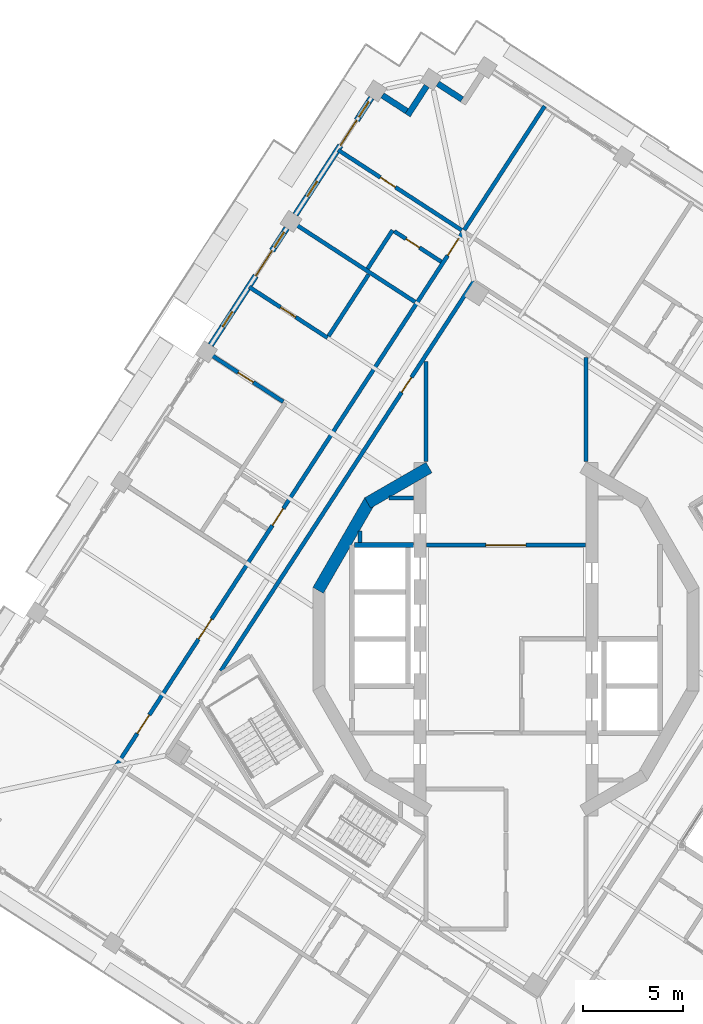
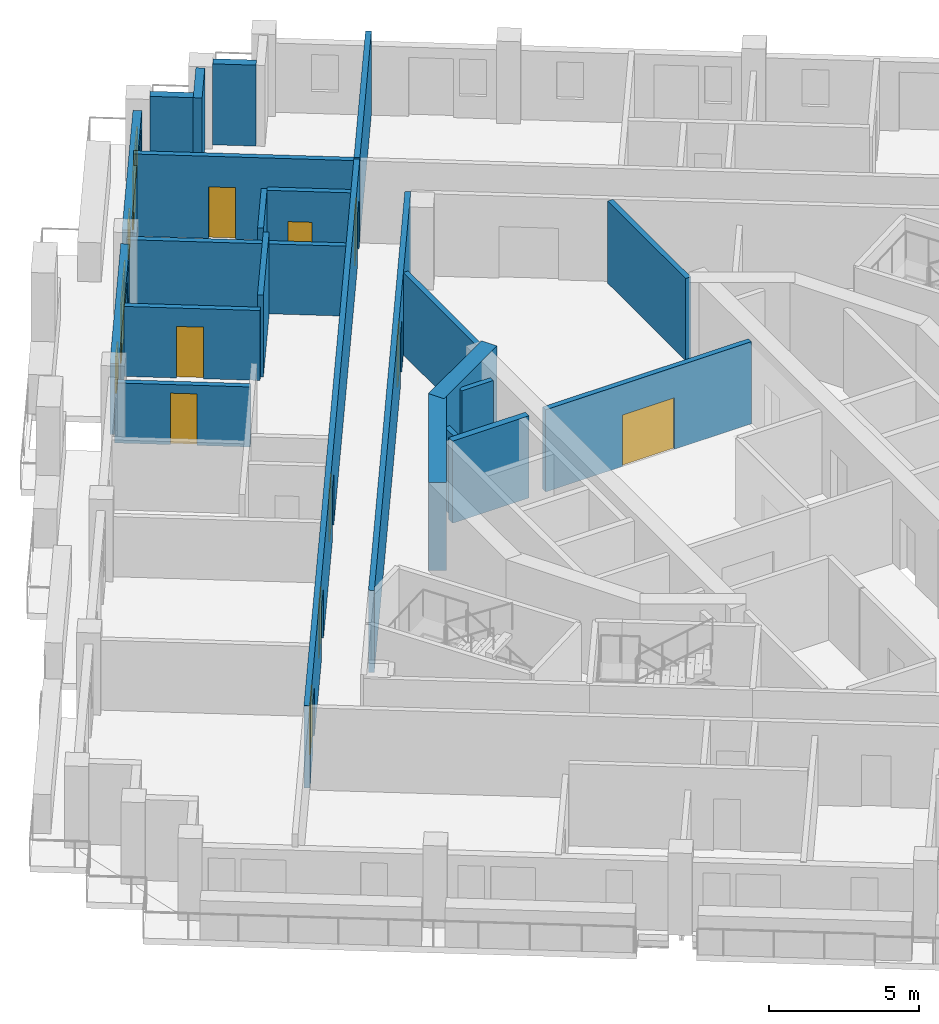
# One storey, part 9 of 17: 23 walls, 12 doors, 4 windows, 16 openings.
"""IFC4 building model written with IfcOpenShell, lengths in metres."""

from ifc_helpers import new_model, si_unit, direction, frame, frame_2d, origin, place, context, subcontext, project, spatial, rectangle, extrude, material, layer, layer_set, type_object, element, fill, save


model = new_model("IFC4")

# Units and contexts
model_context = context("Model", 3, precision=1e-05, world=origin(), true_north=direction((0.0, 1.0)))
body_context = subcontext(model_context, "Body", "Model", "MODEL_VIEW")
ifc_project = project(units=[si_unit("LENGTHUNIT", "METRE"), si_unit("AREAUNIT", "SQUARE_METRE"), si_unit("VOLUMEUNIT", "CUBIC_METRE"), si_unit("PLANEANGLEUNIT", "RADIAN"), si_unit("MASSUNIT", "GRAM", prefix="KILO")], contexts=[model_context])

# Site, building, storey
site_placement = place(None, origin())
site = spatial("IfcSite", under=ifc_project, at=site_placement, CompositionType="ELEMENT")
building_placement = place(site_placement, origin())
building = spatial("IfcBuilding", under=site, at=building_placement, Name="Cantera Rosa Tower", CompositionType="ELEMENT")
storey_placement = place(building_placement, frame((0.0, 0.0, 268.5)))
storey = spatial("IfcBuildingStorey", under=building, at=storey_placement, Name="L60", CompositionType="ELEMENT", Elevation=268.5)

# Wall
ifc_material_1 = material(Name="Gypsum board partition")
ifc_layer_1 = layer(ifc_material_1, 0.199951171875)
ifc_layer_set_1 = layer_set([ifc_layer_1], Name="CORRIDOR WALL 200 H3350")
wall_type_1 = type_object("IfcWallType", Name="CORRIDOR WALL 200 H3350", PredefinedType="PARTITIONING", material=ifc_layer_set_1)
wall_1_placement = place(storey_placement, frame((-4.0, 13.90087890625, 0.0), z_axis=(0.0, 0.0, 1.0), x_axis=(0.0, -1.0, 0.0)))
element("IfcWall", 1, at=wall_1_placement, inside=storey, type_object=wall_type_1, Name="CORRIDOR WALL L60-047", PredefinedType="PARTITIONING", context=body_context, shape_type="SweptSolid", body=[
    extrude(rectangle(XDim=5.02197265625, YDim=0.199951171875, at=frame_2d((2.510986328125, 0.0))), origin(), (0.0, 0.0, 1.0), 3.35009765625),
])

# Wall, opening, door
wall_2_placement = place(storey_placement, frame((-3.969970703125, 4.699951171875, 0.0), z_axis=(0.0, 0.0, 1.0), x_axis=(1.0, 0.0, 0.0)))
wall_2 = element("IfcWall", 2, at=wall_2_placement, inside=storey, type_object=wall_type_1, Name="CORRIDOR WALL L60-048", PredefinedType="PARTITIONING", context=body_context, shape_type="SweptSolid", body=[
    extrude(rectangle(XDim=7.93994140625, YDim=0.199951171875, at=frame_2d((3.969970703125, 0.0))), origin(), (0.0, 0.0, 1.0), 3.35009765625),
])
opening_1_placement = place(wall_2_placement, frame((2.969970703125, 0.0, 0.0)))
opening_1 = element("IfcOpeningElement", 3, at=opening_1_placement, cuts=wall_2, Name="Opening L60-009", PredefinedType="OPENING", context=body_context, shape_type="SweptSolid", body=[
    extrude(rectangle(XDim=2.0, YDim=2.10009765625, at=frame_2d((1.0, 1.050048828125))), frame((0.0, 0.10986328125, 0.0), z_axis=(0.0, -1.0, 0.0), x_axis=(1.0, 0.0, 0.0)), (0.0, 0.0, 1.0), 0.219970703125),
])
ifc_material_2 = material(Name="Steel S355J2 (EN 10025-2)", Category="steel")
door_type_1 = type_object("IfcDoorType", Name="LOBBY SCREEN DOOR 2000x2100", OperationType="NOTDEFINED", PredefinedType="DOOR", material=ifc_material_2)
door_1_placement = place(opening_1_placement, origin())
door_1 = element("IfcDoor", 4, at=door_1_placement, inside=storey, type_object=door_type_1, Name="DOOR L60-009", OperationType="NOTDEFINED", OverallHeight=2.10009765625, OverallWidth=2.0, PredefinedType="DOOR", context=body_context, shape_type="SweptSolid", body=[
    extrude(rectangle(XDim=2.0, YDim=2.10009765625, at=frame_2d((1.0, 1.050048828125))), frame((0.0, 0.02490234375, 0.0), z_axis=(0.0, -1.0, 0.0), x_axis=(1.0, 0.0, 0.0)), (0.0, 0.0, 1.0), 0.050048828125),
])
fill(opening_1, door_1)

# Wall, openings, doors
wall_3_placement = place(storey_placement, frame((-2.1318359375, 20.402587890625, 0.0), z_axis=(0.0, 0.0, 1.0), x_axis=(-0.544643219415, -0.838667850549, 0.0)))
wall_3 = element("IfcWall", 5, at=wall_3_placement, inside=storey, type_object=wall_type_1, Name="CORRIDOR WALL L60-050", PredefinedType="PARTITIONING", context=body_context, shape_type="SweptSolid", body=[
    extrude(rectangle(XDim=31.880126953125, YDim=0.199951171875, at=frame_2d((15.93994140625, 0.0))), origin(), (0.0, 0.0, 1.0), 3.35009765625),
])
opening_2_placement = place(wall_3_placement, frame((16.5400390625, 0.0, 0.0)))
opening_2 = element("IfcOpeningElement", 6, at=opening_2_placement, cuts=wall_3, Name="Opening L60-025", PredefinedType="OPENING", context=body_context, shape_type="SweptSolid", body=[
    extrude(rectangle(XDim=1.0, YDim=2.10009765625, at=frame_2d((0.5, 1.050048828125))), frame((0.0, 0.10986328125, 0.0), z_axis=(0.0, -1.0, 0.0), x_axis=(1.0, 0.0, 0.0)), (0.0, 0.0, 1.0), 0.219970703125),
])
opening_3_placement = place(wall_3_placement, frame((23.1298828125, 0.0, 0.0)))
opening_3 = element("IfcOpeningElement", 7, at=opening_3_placement, cuts=wall_3, Name="Opening L60-031", PredefinedType="OPENING", context=body_context, shape_type="SweptSolid", body=[
    extrude(rectangle(XDim=1.199951171875, YDim=2.10009765625, at=frame_2d((0.60009765625, 1.050048828125))), frame((0.0, 0.10986328125, 0.0), z_axis=(0.0, -1.0, 0.0), x_axis=(1.0, 0.0, 0.0)), (0.0, 0.0, 1.0), 0.219970703125),
])
opening_4_placement = place(wall_3_placement, frame((0.43994140625, 0.0, 0.0)))
opening_4 = element("IfcOpeningElement", 8, at=opening_4_placement, cuts=wall_3, Name="Opening L60-032", PredefinedType="OPENING", context=body_context, shape_type="SweptSolid", body=[
    extrude(rectangle(XDim=1.0, YDim=2.10009765625, at=frame_2d((0.5, 1.050048828125))), frame((0.0, 0.10986328125, 0.0), z_axis=(0.0, -1.0, 0.0), x_axis=(1.0, 0.0, 0.0)), (0.0, 0.0, 1.0), 0.219970703125),
])
opening_5_placement = place(wall_3_placement, frame((28.85009765625, 0.0, 0.0)))
opening_5 = element("IfcOpeningElement", 9, at=opening_5_placement, cuts=wall_3, Name="Opening L60-035", PredefinedType="OPENING", context=body_context, shape_type="SweptSolid", body=[
    extrude(rectangle(XDim=1.10009765625, YDim=2.10009765625, at=frame_2d((0.550048828125, 1.050048828125))), frame((0.0, 0.10986328125, 0.0), z_axis=(0.0, -1.0, 0.0), x_axis=(1.0, 0.0, 0.0)), (0.0, 0.0, 1.0), 0.219970703125),
])
ifc_material_3 = material(Name="Timber door leaf", Category="wood")
door_type_2 = type_object("IfcDoorType", Name="ENTRANCE DOOR 1000x2100", OperationType="NOTDEFINED", PredefinedType="DOOR", material=ifc_material_3)
door_2_placement = place(opening_2_placement, origin())
door_2 = element("IfcDoor", 10, at=door_2_placement, inside=storey, type_object=door_type_2, Name="DOOR L60-025", OperationType="NOTDEFINED", OverallHeight=2.10009765625, OverallWidth=1.0, PredefinedType="DOOR", context=body_context, shape_type="SweptSolid", body=[
    extrude(rectangle(XDim=1.0, YDim=2.10009765625, at=frame_2d((0.5, 1.050048828125))), frame((0.0, 0.02490234375, 0.0), z_axis=(0.0, -1.0, 0.0), x_axis=(1.0, 0.0, 0.0)), (0.0, 0.0, 1.0), 0.050048828125),
])
fill(opening_2, door_2)
door_3_placement = place(opening_4_placement, origin())
door_3 = element("IfcDoor", 11, at=door_3_placement, inside=storey, type_object=door_type_2, Name="DOOR L60-032", OperationType="NOTDEFINED", OverallHeight=2.10009765625, OverallWidth=1.0, PredefinedType="DOOR", context=body_context, shape_type="SweptSolid", body=[
    extrude(rectangle(XDim=1.0, YDim=2.10009765625, at=frame_2d((0.5, 1.050048828125))), frame((0.0, 0.02490234375, 0.0), z_axis=(0.0, -1.0, 0.0), x_axis=(1.0, 0.0, 0.0)), (0.0, 0.0, 1.0), 0.050048828125),
])
fill(opening_4, door_3)
ifc_material_4 = material(Name="Timber door leaf", Category="wood")
door_type_3 = type_object("IfcDoorType", Name="ROOM DOOR 1100x2100", OperationType="NOTDEFINED", PredefinedType="DOOR", material=ifc_material_4)
door_4_placement = place(opening_5_placement, origin())
door_4 = element("IfcDoor", 12, at=door_4_placement, inside=storey, type_object=door_type_3, Name="DOOR L60-035", OperationType="NOTDEFINED", OverallHeight=2.10009765625, OverallWidth=1.10009765625, PredefinedType="DOOR", context=body_context, shape_type="SweptSolid", body=[
    extrude(rectangle(XDim=1.10009765625, YDim=2.10009765625, at=frame_2d((0.550048828125, 1.050048828125))), frame((0.0, 0.02490234375, 0.0), z_axis=(0.0, -1.0, 0.0), x_axis=(1.0, 0.0, 0.0)), (0.0, 0.0, 1.0), 0.050048828125),
])
fill(opening_5, door_4)
ifc_material_5 = material(Name="Timber door leaf", Category="wood")
door_type_4 = type_object("IfcDoorType", Name="ROOM DOOR 1200x2100", OperationType="NOTDEFINED", PredefinedType="DOOR", material=ifc_material_5)
door_5_placement = place(opening_3_placement, origin())
door_5 = element("IfcDoor", 13, at=door_5_placement, inside=storey, type_object=door_type_4, Name="DOOR L60-031", OperationType="NOTDEFINED", OverallHeight=2.10009765625, OverallWidth=1.199951171875, PredefinedType="DOOR", context=body_context, shape_type="SweptSolid", body=[
    extrude(rectangle(XDim=1.199951171875, YDim=2.10009765625, at=frame_2d((0.60009765625, 1.050048828125))), frame((0.0, 0.02490234375, 0.0), z_axis=(0.0, -1.0, 0.0), x_axis=(1.0, 0.0, 0.0)), (0.0, 0.0, 1.0), 0.050048828125),
])
fill(opening_3, door_5)

# Wall, opening, door
wall_4_placement = place(storey_placement, frame((-1.6025390625, 17.91259765625, 0.0), z_axis=(0.0, 0.0, 1.0), x_axis=(-0.544642173362, -0.838668529871, 0.0)))
wall_4 = element("IfcWall", 14, at=wall_4_placement, inside=storey, type_object=wall_type_1, Name="CORRIDOR WALL L60-055", PredefinedType="PARTITIONING", context=body_context, shape_type="SweptSolid", body=[
    extrude(rectangle(XDim=23.255126953125, YDim=0.199951171875, at=frame_2d((11.62744140625, 0.0))), origin(), (0.0, 0.0, 1.0), 3.35009765625),
])
opening_6_placement = place(wall_4_placement, frame((5.744140625, 0.0, 0.0)))
opening_6 = element("IfcOpeningElement", 15, at=opening_6_placement, cuts=wall_4, Name="Opening L60-005", PredefinedType="OPENING", context=body_context, shape_type="SweptSolid", body=[
    extrude(rectangle(XDim=0.89990234375, YDim=2.10009765625, at=frame_2d((0.449951171875, 1.050048828125))), frame((0.0, 0.10986328125, 0.0), z_axis=(0.0, -1.0, 0.0), x_axis=(1.0, 0.0, 0.0)), (0.0, 0.0, 1.0), 0.219970703125),
])
ifc_material_6 = material(Name="Timber door leaf", Category="wood")
door_type_5 = type_object("IfcDoorType", Name="SERVICE DOOR 900x2100", OperationType="NOTDEFINED", PredefinedType="DOOR", material=ifc_material_6)
door_6_placement = place(opening_6_placement, origin())
door_6 = element("IfcDoor", 16, at=door_6_placement, inside=storey, type_object=door_type_5, Name="DOOR L60-005", OperationType="NOTDEFINED", OverallHeight=2.10009765625, OverallWidth=0.89990234375, PredefinedType="DOOR", context=body_context, shape_type="SweptSolid", body=[
    extrude(rectangle(XDim=0.89990234375, YDim=2.10009765625, at=frame_2d((0.449951171875, 1.050048828125))), frame((0.0, 0.02490234375, 0.0), z_axis=(0.0, -1.0, 0.0), x_axis=(1.0, 0.0, 0.0)), (0.0, 0.0, 1.0), 0.050048828125),
])
fill(opening_6, door_6)

# Walls
wall_5_placement = place(storey_placement, frame((4.0, 8.87890625, 0.0), z_axis=(0.0, 0.0, 1.0), x_axis=(0.0, 1.0, 0.0)))
element("IfcWall", 17, at=wall_5_placement, inside=storey, type_object=wall_type_1, Name="CORRIDOR WALL L60-072", PredefinedType="PARTITIONING", context=body_context, shape_type="SweptSolid", body=[
    extrude(rectangle(XDim=5.21533203125, YDim=0.199951171875, at=frame_2d((2.607666015625, 0.0))), origin(), (0.0, 0.0, 1.0), 3.35009765625),
])
ifc_material_7 = material(Name="Hollow clay masonry with cantera stone cladding", Category="masonry")
ifc_layer_2 = layer(ifc_material_7, 0.300048828125)
ifc_layer_set_2 = layer_set([ifc_layer_2], Name="EW-LOGGIA 300")
wall_type_2 = type_object("IfcWallType", Name="EW-LOGGIA 300", PredefinedType="SOLIDWALL", material=ifc_layer_set_2)
wall_6_placement = place(storey_placement, frame((-2.197509765625, 27.003173828125, 0.0), z_axis=(0.0, 0.0, 1.0), x_axis=(-0.838647435384, 0.54467465438, 0.0)))
element("IfcWall", 18, at=wall_6_placement, inside=storey, type_object=wall_type_2, Name="EN-L60-W05b", PredefinedType="SOLIDWALL", context=body_context, shape_type="SweptSolid", body=[
    extrude(rectangle(XDim=1.449951171875, YDim=0.300048828125, at=frame_2d((0.72509765625, 0.0))), origin(), (0.0, 0.0, 1.0), 3.300048828125),
])
wall_7_placement = place(storey_placement, frame((-3.966796875, 27.67529296875, 0.0), z_axis=(0.0, 0.0, 1.0), x_axis=(-0.544679362749, -0.83864437743, 0.0)))
element("IfcWall", 19, at=wall_7_placement, inside=storey, type_object=wall_type_2, Name="EN-L60-W06a", PredefinedType="SOLIDWALL", context=body_context, shape_type="SweptSolid", body=[
    extrude(rectangle(XDim=1.75, YDim=0.300048828125, at=frame_2d((0.875, 0.0))), origin(), (0.0, 0.0, 1.0), 3.300048828125),
])
wall_8_placement = place(storey_placement, frame((-4.964111328125, 26.415283203125, 0.0), z_axis=(0.0, 0.0, 1.0), x_axis=(-0.838724343483, 0.544556218997, 0.0)))
element("IfcWall", 20, at=wall_8_placement, inside=storey, type_object=wall_type_2, Name="EN-L60-W06b", PredefinedType="SOLIDWALL", context=body_context, shape_type="SweptSolid", body=[
    extrude(rectangle(XDim=1.449951171875, YDim=0.300048828125, at=frame_2d((0.72509765625, 0.0))), origin(), (0.0, 0.0, 1.0), 3.300048828125),
])

# Wall, openings, windows, door
ifc_material_8 = material(Name="Hollow clay masonry with cantera stone cladding", Category="masonry")
ifc_layer_3 = layer(ifc_material_8, 0.300048828125)
ifc_layer_set_3 = layer_set([ifc_layer_3], Name="EW-LOGGIA 300 H2890")
wall_type_3 = type_object("IfcWallType", Name="EW-LOGGIA 300 H2890", PredefinedType="SOLIDWALL", material=ifc_layer_set_3)
wall_9_placement = place(storey_placement, frame((-6.7333984375, 27.08740234375, 0.0), z_axis=(0.0, 0.0, 1.0), x_axis=(-0.544651451949, -0.838662504164, 0.0)))
wall_9 = element("IfcWall", 21, at=wall_9_placement, inside=storey, type_object=wall_type_3, Name="EN-L60-W07", PredefinedType="SOLIDWALL", context=body_context, shape_type="SweptSolid", body=[
    extrude(rectangle(XDim=6.980224609375, YDim=0.300048828125, at=frame_2d((3.490234375, 0.0))), origin(), (0.0, 0.0, 1.0), 2.889892578125),
])
opening_7_placement = place(wall_9_placement, frame((0.2451171875, 0.0, 0.89990234375)))
opening_7 = element("IfcOpeningElement", 22, at=opening_7_placement, cuts=wall_9, Name="Opening L60-W13", PredefinedType="OPENING", context=body_context, shape_type="SweptSolid", body=[
    extrude(rectangle(XDim=0.89990234375, YDim=1.5, at=frame_2d((0.449951171875, 0.75))), frame((0.0, 0.159912109375, 0.0), z_axis=(0.0, -1.0, 0.0), x_axis=(1.0, 0.0, 0.0)), (0.0, 0.0, 1.0), 0.320068359375),
])
opening_8_placement = place(wall_9_placement, frame((1.344970703125, 0.0, 0.0)))
opening_8 = element("IfcOpeningElement", 23, at=opening_8_placement, cuts=wall_9, Name="Opening L60-TD14", PredefinedType="OPENING", context=body_context, shape_type="SweptSolid", body=[
    extrude(rectangle(XDim=1.5, YDim=2.39990234375, at=frame_2d((0.75, 1.199951171875))), frame((0.0, 0.159912109375, 0.0), z_axis=(0.0, -1.0, 0.0), x_axis=(1.0, 0.0, 0.0)), (0.0, 0.0, 1.0), 0.320068359375),
])
opening_9_placement = place(wall_9_placement, frame((4.985107421875, 0.0, 0.89990234375)))
opening_9 = element("IfcOpeningElement", 24, at=opening_9_placement, cuts=wall_9, Name="Opening L60-W15", PredefinedType="OPENING", context=body_context, shape_type="SweptSolid", body=[
    extrude(rectangle(XDim=0.89990234375, YDim=1.5, at=frame_2d((0.449951171875, 0.75))), frame((0.0, 0.159912109375, 0.0), z_axis=(0.0, -1.0, 0.0), x_axis=(1.0, 0.0, 0.0)), (0.0, 0.0, 1.0), 0.320068359375),
])
ifc_material_9 = material(Name="Aluminium frame with clear glass", Category="aluminium")
window_type = type_object("IfcWindowType", Name="Residential window 900x1500", PartitioningType="SINGLE_PANEL", PredefinedType="WINDOW", material=ifc_material_9)
window_1_placement = place(opening_7_placement, origin())
window_1 = element("IfcWindow", 25, at=window_1_placement, inside=storey, type_object=window_type, Name="WINDOW L60-W13", OverallHeight=1.5, OverallWidth=0.89990234375, PartitioningType="SINGLE_PANEL", PredefinedType="WINDOW", context=body_context, shape_type="SweptSolid", body=[
    extrude(rectangle(XDim=0.89990234375, YDim=1.5, at=frame_2d((0.449951171875, 0.75))), frame((0.0, 0.030029296875, 0.0), z_axis=(0.0, -1.0, 0.0), x_axis=(1.0, 0.0, 0.0)), (0.0, 0.0, 1.0), 0.06005859375),
])
fill(opening_7, window_1)
window_2_placement = place(opening_9_placement, origin())
window_2 = element("IfcWindow", 26, at=window_2_placement, inside=storey, type_object=window_type, Name="WINDOW L60-W15", OverallHeight=1.5, OverallWidth=0.89990234375, PartitioningType="SINGLE_PANEL", PredefinedType="WINDOW", context=body_context, shape_type="SweptSolid", body=[
    extrude(rectangle(XDim=0.89990234375, YDim=1.5, at=frame_2d((0.449951171875, 0.75))), frame((0.0, 0.030029296875, 0.0), z_axis=(0.0, -1.0, 0.0), x_axis=(1.0, 0.0, 0.0)), (0.0, 0.0, 1.0), 0.06005859375),
])
fill(opening_9, window_2)
ifc_material_10 = material(Name="Aluminium frame with clear glass", Category="aluminium")
door_type_6 = type_object("IfcDoorType", Name="TD-R 1500x2400", OperationType="NOTDEFINED", PredefinedType="DOOR", material=ifc_material_10)
door_7_placement = place(opening_8_placement, origin())
door_7 = element("IfcDoor", 27, at=door_7_placement, inside=storey, type_object=door_type_6, Name="LOGGIA DOOR L60-TD14", OperationType="SLIDING_TO_LEFT", OverallHeight=2.39990234375, OverallWidth=1.5, PredefinedType="DOOR", context=body_context, shape_type="SweptSolid", body=[
    extrude(rectangle(XDim=1.5, YDim=2.39990234375, at=frame_2d((0.75, 1.199951171875))), frame((0.0, 0.02490234375, 0.0), z_axis=(0.0, -1.0, 0.0), x_axis=(1.0, 0.0, 0.0)), (0.0, 0.0, 1.0), 0.050048828125),
])
fill(opening_8, door_7)

wall_10_placement = place(storey_placement, frame((-10.970703125, 20.5625, 0.0), z_axis=(0.0, 0.0, 1.0), x_axis=(-0.544651451949, -0.838662504164, 0.0)))
wall_10 = element("IfcWall", 28, at=wall_10_placement, inside=storey, type_object=wall_type_3, Name="EN-L60-W08", PredefinedType="SOLIDWALL", context=body_context, shape_type="SweptSolid", body=[
    extrude(rectangle(XDim=6.980224609375, YDim=0.300048828125, at=frame_2d((3.490234375, 0.0))), origin(), (0.0, 0.0, 1.0), 2.889892578125),
])
opening_10_placement = place(wall_10_placement, frame((0.2451171875, 0.0, 0.89990234375)))
opening_10 = element("IfcOpeningElement", 29, at=opening_10_placement, cuts=wall_10, Name="Opening L60-W16", PredefinedType="OPENING", context=body_context, shape_type="SweptSolid", body=[
    extrude(rectangle(XDim=0.89990234375, YDim=1.5, at=frame_2d((0.449951171875, 0.75))), frame((0.0, 0.159912109375, 0.0), z_axis=(0.0, -1.0, 0.0), x_axis=(1.0, 0.0, 0.0)), (0.0, 0.0, 1.0), 0.320068359375),
])
opening_11_placement = place(wall_10_placement, frame((1.344970703125, 0.0, 0.0)))
opening_11 = element("IfcOpeningElement", 30, at=opening_11_placement, cuts=wall_10, Name="Opening L60-TD17", PredefinedType="OPENING", context=body_context, shape_type="SweptSolid", body=[
    extrude(rectangle(XDim=1.5, YDim=2.39990234375, at=frame_2d((0.75, 1.199951171875))), frame((0.0, 0.159912109375, 0.0), z_axis=(0.0, -1.0, 0.0), x_axis=(1.0, 0.0, 0.0)), (0.0, 0.0, 1.0), 0.320068359375),
])
opening_12_placement = place(wall_10_placement, frame((4.985107421875, 0.0, 0.89990234375)))
opening_12 = element("IfcOpeningElement", 31, at=opening_12_placement, cuts=wall_10, Name="Opening L60-W18", PredefinedType="OPENING", context=body_context, shape_type="SweptSolid", body=[
    extrude(rectangle(XDim=0.89990234375, YDim=1.5, at=frame_2d((0.449951171875, 0.75))), frame((0.0, 0.159912109375, 0.0), z_axis=(0.0, -1.0, 0.0), x_axis=(1.0, 0.0, 0.0)), (0.0, 0.0, 1.0), 0.320068359375),
])
window_3_placement = place(opening_10_placement, origin())
window_3 = element("IfcWindow", 32, at=window_3_placement, inside=storey, type_object=window_type, Name="WINDOW L60-W16", OverallHeight=1.5, OverallWidth=0.89990234375, PartitioningType="SINGLE_PANEL", PredefinedType="WINDOW", context=body_context, shape_type="SweptSolid", body=[
    extrude(rectangle(XDim=0.89990234375, YDim=1.5, at=frame_2d((0.449951171875, 0.75))), frame((0.0, 0.030029296875, 0.0), z_axis=(0.0, -1.0, 0.0), x_axis=(1.0, 0.0, 0.0)), (0.0, 0.0, 1.0), 0.06005859375),
])
fill(opening_10, window_3)
window_4_placement = place(opening_12_placement, origin())
window_4 = element("IfcWindow", 33, at=window_4_placement, inside=storey, type_object=window_type, Name="WINDOW L60-W18", OverallHeight=1.5, OverallWidth=0.89990234375, PartitioningType="SINGLE_PANEL", PredefinedType="WINDOW", context=body_context, shape_type="SweptSolid", body=[
    extrude(rectangle(XDim=0.89990234375, YDim=1.5, at=frame_2d((0.449951171875, 0.75))), frame((0.0, 0.030029296875, 0.0), z_axis=(0.0, -1.0, 0.0), x_axis=(1.0, 0.0, 0.0)), (0.0, 0.0, 1.0), 0.06005859375),
])
fill(opening_12, window_4)
door_8_placement = place(opening_11_placement, origin())
door_8 = element("IfcDoor", 34, at=door_8_placement, inside=storey, type_object=door_type_6, Name="LOGGIA DOOR L60-TD17", OperationType="SLIDING_TO_LEFT", OverallHeight=2.39990234375, OverallWidth=1.5, PredefinedType="DOOR", context=body_context, shape_type="SweptSolid", body=[
    extrude(rectangle(XDim=1.5, YDim=2.39990234375, at=frame_2d((0.75, 1.199951171875))), frame((0.0, 0.02490234375, 0.0), z_axis=(0.0, -1.0, 0.0), x_axis=(1.0, 0.0, 0.0)), (0.0, 0.0, 1.0), 0.050048828125),
])
fill(opening_11, door_8)

# Wall, opening, door
ifc_material_11 = material(Name="Gypsum board partition")
ifc_layer_4 = layer(ifc_material_11, 0.199951171875)
ifc_layer_set_4 = layer_set([ifc_layer_4], Name="PARTITION 200 H2450")
wall_type_4 = type_object("IfcWallType", Name="PARTITION 200 H2450", PredefinedType="PARTITIONING", material=ifc_layer_set_4)
wall_11_placement = place(storey_placement, frame((-14.965087890625, 14.356689453125, 0.0), z_axis=(0.0, 0.0, 1.0), x_axis=(0.8386764669, -0.544629951314, 0.0)))
wall_11 = element("IfcWall", 35, at=wall_11_placement, inside=storey, type_object=wall_type_4, Name="PARTITION L60-012", PredefinedType="PARTITIONING", context=body_context, shape_type="SweptSolid", body=[
    extrude(rectangle(XDim=4.550048828125, YDim=0.199951171875, at=frame_2d((2.27490234375, 0.0))), origin(), (0.0, 0.0, 1.0), 2.449951171875),
])
opening_13_placement = place(wall_11_placement, frame((1.8701171875, 0.0, 0.0)))
opening_13 = element("IfcOpeningElement", 36, at=opening_13_placement, cuts=wall_11, Name="Opening L60-029", PredefinedType="OPENING", context=body_context, shape_type="SweptSolid", body=[
    extrude(rectangle(XDim=0.89990234375, YDim=2.10009765625, at=frame_2d((0.449951171875, 1.050048828125))), frame((0.0, 0.10986328125, 0.0), z_axis=(0.0, -1.0, 0.0), x_axis=(1.0, 0.0, 0.0)), (0.0, 0.0, 1.0), 0.219970703125),
])
ifc_material_12 = material(Name="Timber door leaf", Category="wood")
door_type_7 = type_object("IfcDoorType", Name="ROOM DOOR 900x2100", OperationType="NOTDEFINED", PredefinedType="DOOR", material=ifc_material_12)
door_9_placement = place(opening_13_placement, origin())
door_9 = element("IfcDoor", 37, at=door_9_placement, inside=storey, type_object=door_type_7, Name="DOOR L60-029", OperationType="NOTDEFINED", OverallHeight=2.10009765625, OverallWidth=0.89990234375, PredefinedType="DOOR", context=body_context, shape_type="SweptSolid", body=[
    extrude(rectangle(XDim=0.89990234375, YDim=2.10009765625, at=frame_2d((0.449951171875, 1.050048828125))), frame((0.0, 0.02490234375, 0.0), z_axis=(0.0, -1.0, 0.0), x_axis=(1.0, 0.0, 0.0)), (0.0, 0.0, 1.0), 0.050048828125),
])
fill(opening_13, door_9)

ifc_material_13 = material(Name="Gypsum board partition")
ifc_layer_5 = layer(ifc_material_13, 0.199951171875)
ifc_layer_set_5 = layer_set([ifc_layer_5], Name="PARTITION 200 H2850")
wall_type_5 = type_object("IfcWallType", Name="PARTITION 200 H2850", PredefinedType="PARTITIONING", material=ifc_layer_set_5)
wall_12_placement = place(storey_placement, frame((-12.846435546875, 17.619140625, 0.0), z_axis=(0.0, 0.0, 1.0), x_axis=(0.838681218127, -0.544622634822, 0.0)))
wall_12 = element("IfcWall", 38, at=wall_12_placement, inside=storey, type_object=wall_type_5, Name="PARTITION L60-018", PredefinedType="PARTITIONING", context=body_context, shape_type="SweptSolid", body=[
    extrude(rectangle(XDim=4.670166015625, YDim=0.199951171875, at=frame_2d((2.3349609375, 0.0))), origin(), (0.0, 0.0, 1.0), 2.85009765625),
])
opening_14_placement = place(wall_12_placement, frame((1.8701171875, 0.0, 0.0)))
opening_14 = element("IfcOpeningElement", 39, at=opening_14_placement, cuts=wall_12, Name="Opening L60-030", PredefinedType="OPENING", context=body_context, shape_type="SweptSolid", body=[
    extrude(rectangle(XDim=0.89990234375, YDim=2.10009765625, at=frame_2d((0.449951171875, 1.050048828125))), frame((0.0, 0.10986328125, 0.0), z_axis=(0.0, -1.0, 0.0), x_axis=(1.0, 0.0, 0.0)), (0.0, 0.0, 1.0), 0.219970703125),
])
door_10_placement = place(opening_14_placement, origin())
door_10 = element("IfcDoor", 40, at=door_10_placement, inside=storey, type_object=door_type_7, Name="DOOR L60-030", OperationType="NOTDEFINED", OverallHeight=2.10009765625, OverallWidth=0.89990234375, PredefinedType="DOOR", context=body_context, shape_type="SweptSolid", body=[
    extrude(rectangle(XDim=0.89990234375, YDim=2.10009765625, at=frame_2d((0.449951171875, 1.050048828125))), frame((0.0, 0.02490234375, 0.0), z_axis=(0.0, -1.0, 0.0), x_axis=(1.0, 0.0, 0.0)), (0.0, 0.0, 1.0), 0.050048828125),
])
fill(opening_14, door_10)

# Walls
ifc_material_14 = material(Name="Gypsum board partition")
ifc_layer_6 = layer(ifc_material_14, 0.199951171875)
ifc_layer_set_6 = layer_set([ifc_layer_6], Name="PARTITION 200 H3350")
wall_type_6 = type_object("IfcWallType", Name="PARTITION 200 H3350", PredefinedType="PARTITIONING", material=ifc_layer_set_6)
wall_13_placement = place(storey_placement, frame((-8.87548828125, 15.15966796875, 0.0), z_axis=(0.0, 0.0, 1.0), x_axis=(0.544682009132, 0.838642658662, 0.0)))
element("IfcWall", 41, at=wall_13_placement, inside=storey, type_object=wall_type_6, Name="PARTITION L60-026", PredefinedType="PARTITIONING", context=body_context, shape_type="SweptSolid", body=[
    extrude(rectangle(XDim=3.670166015625, YDim=0.199951171875, at=frame_2d((1.8349609375, 0.0))), origin(), (0.0, 0.0, 1.0), 3.35009765625),
])
wall_14_placement = place(storey_placement, frame((-7.300048828125, 4.824951171875, 0.0), z_axis=(0.0, 0.0, 1.0), x_axis=(0.0, 1.0, 0.0)))
element("IfcWall", 42, at=wall_14_placement, inside=storey, type_object=wall_type_6, Name="PARTITION L60-035", PredefinedType="PARTITIONING", context=body_context, shape_type="SweptSolid", body=[
    extrude(rectangle(XDim=0.589599609375, YDim=0.199951171875, at=frame_2d((0.294921875, 0.0))), origin(), (0.0, 0.0, 1.0), 3.35009765625),
])
wall_15_placement = place(storey_placement, frame((-6.924560546875, 18.531005859375, 0.0), z_axis=(0.0, 0.0, 1.0), x_axis=(0.544641320086, 0.838669083999, 0.0)))
element("IfcWall", 43, at=wall_15_placement, inside=storey, type_object=wall_type_6, Name="PARTITION L60-036", PredefinedType="PARTITIONING", context=body_context, shape_type="SweptSolid", body=[
    extrude(rectangle(XDim=2.300048828125, YDim=0.199951171875, at=frame_2d((1.14990234375, 0.0))), origin(), (0.0, 0.0, 1.0), 3.35009765625),
])
wall_16_placement = place(storey_placement, frame((-5.84765625, 7.050048828125, 0.0), z_axis=(0.0, 0.0, 1.0), x_axis=(1.0, 0.0, 0.0)))
element("IfcWall", 44, at=wall_16_placement, inside=storey, type_object=wall_type_6, Name="PARTITION L60-039", PredefinedType="PARTITIONING", context=body_context, shape_type="SweptSolid", body=[
    extrude(rectangle(XDim=1.2177734375, YDim=0.199951171875, at=frame_2d((0.60888671875, 0.0))), origin(), (0.0, 0.0, 1.0), 3.35009765625),
])

# Wall, opening, door
wall_17_placement = place(storey_placement, frame((-5.587890625, 20.405517578125, 0.0), z_axis=(0.0, 0.0, 1.0), x_axis=(0.838656694237, -0.544660398056, 0.0)))
wall_17 = element("IfcWall", 45, at=wall_17_placement, inside=storey, type_object=wall_type_6, Name="PARTITION L60-040", PredefinedType="PARTITIONING", context=body_context, shape_type="SweptSolid", body=[
    extrude(rectangle(XDim=2.80029296875, YDim=0.199951171875, at=frame_2d((1.400146484375, 0.0))), origin(), (0.0, 0.0, 1.0), 3.35009765625),
])
opening_15_placement = place(wall_17_placement, frame((0.699951171875, 0.0, 0.0)))
opening_15 = element("IfcOpeningElement", 46, at=opening_15_placement, cuts=wall_17, Name="Opening L60-033", PredefinedType="OPENING", context=body_context, shape_type="SweptSolid", body=[
    extrude(rectangle(XDim=0.800048828125, YDim=2.10009765625, at=frame_2d((0.39990234375, 1.050048828125))), frame((0.0, 0.10986328125, 0.0), z_axis=(0.0, -1.0, 0.0), x_axis=(1.0, 0.0, 0.0)), (0.0, 0.0, 1.0), 0.219970703125),
])
ifc_material_15 = material(Name="Timber door leaf", Category="wood")
door_type_8 = type_object("IfcDoorType", Name="BATHROOM DOOR 800x2100", OperationType="NOTDEFINED", PredefinedType="DOOR", material=ifc_material_15)
door_11_placement = place(opening_15_placement, origin())
door_11 = element("IfcDoor", 47, at=door_11_placement, inside=storey, type_object=door_type_8, Name="DOOR L60-033", OperationType="NOTDEFINED", OverallHeight=2.10009765625, OverallWidth=0.800048828125, PredefinedType="DOOR", context=body_context, shape_type="SweptSolid", body=[
    extrude(rectangle(XDim=0.800048828125, YDim=2.10009765625, at=frame_2d((0.39990234375, 1.050048828125))), frame((0.0, 0.02490234375, 0.0), z_axis=(0.0, -1.0, 0.0), x_axis=(1.0, 0.0, 0.0)), (0.0, 0.0, 1.0), 0.050048828125),
])
fill(opening_15, door_11)

wall_18_placement = place(storey_placement, frame((-2.2158203125, 20.45703125, 0.0), z_axis=(0.0, 0.0, 1.0), x_axis=(-0.838656223885, 0.544661122294, 0.0)))
wall_18 = element("IfcWall", 48, at=wall_18_placement, inside=storey, type_object=wall_type_6, Name="PARTITION L60-051", PredefinedType="PARTITIONING", context=body_context, shape_type="SweptSolid", body=[
    extrude(rectangle(XDim=7.3701171875, YDim=0.199951171875, at=frame_2d((3.68505859375, 0.0))), origin(), (0.0, 0.0, 1.0), 3.35009765625),
])
opening_16_placement = place(wall_18_placement, frame((3.949951171875, 0.0, 0.0)))
opening_16 = element("IfcOpeningElement", 49, at=opening_16_placement, cuts=wall_18, Name="Opening L60-034", PredefinedType="OPENING", context=body_context, shape_type="SweptSolid", body=[
    extrude(rectangle(XDim=0.89990234375, YDim=2.10009765625, at=frame_2d((0.449951171875, 1.050048828125))), frame((0.0, 0.10986328125, 0.0), z_axis=(0.0, -1.0, 0.0), x_axis=(1.0, 0.0, 0.0)), (0.0, 0.0, 1.0), 0.219970703125),
])
door_12_placement = place(opening_16_placement, origin())
door_12 = element("IfcDoor", 50, at=door_12_placement, inside=storey, type_object=door_type_7, Name="DOOR L60-034", OperationType="NOTDEFINED", OverallHeight=2.10009765625, OverallWidth=0.89990234375, PredefinedType="DOOR", context=body_context, shape_type="SweptSolid", body=[
    extrude(rectangle(XDim=0.89990234375, YDim=2.10009765625, at=frame_2d((0.449951171875, 1.050048828125))), frame((0.0, 0.02490234375, 0.0), z_axis=(0.0, -1.0, 0.0), x_axis=(1.0, 0.0, 0.0)), (0.0, 0.0, 1.0), 0.050048828125),
])
fill(opening_16, door_12)

# Walls
ifc_material_16 = material(Name="Gypsum board partition")
ifc_layer_7 = layer(ifc_material_16, 0.199951171875)
ifc_layer_set_7 = layer_set([ifc_layer_7], Name="PARTY WALL 200 H2850")
wall_type_7 = type_object("IfcWallType", Name="PARTY WALL 200 H2850", PredefinedType="PARTITIONING", material=ifc_layer_set_7)
wall_19_placement = place(storey_placement, frame((-10.727783203125, 20.881591796875, 0.0), z_axis=(0.0, 0.0, 1.0), x_axis=(0.838671355338, -0.544637822535, 0.0)))
element("IfcWall", 51, at=wall_19_placement, inside=storey, type_object=wall_type_7, Name="PARTY WALL L60-022", PredefinedType="PARTITIONING", context=body_context, shape_type="SweptSolid", body=[
    extrude(rectangle(XDim=7.369873046875, YDim=0.199951171875, at=frame_2d((3.68505859375, 0.0))), origin(), (0.0, 0.0, 1.0), 2.85009765625),
])
ifc_material_17 = material(Name="Gypsum board partition")
ifc_layer_8 = layer(ifc_material_17, 0.199951171875)
ifc_layer_set_8 = layer_set([ifc_layer_8], Name="PARTY WALL 200 H3350")
wall_type_8 = type_object("IfcWallType", Name="PARTY WALL 200 H3350", PredefinedType="PARTITIONING", material=ifc_layer_set_8)
wall_20_placement = place(storey_placement, frame((-2.08837890625, 20.4697265625, 0.0), z_axis=(0.0, 0.0, 1.0), x_axis=(0.544642261206, 0.838668472824, 0.0)))
element("IfcWall", 52, at=wall_20_placement, inside=storey, type_object=wall_type_8, Name="PARTY WALL L60-052", PredefinedType="PARTITIONING", context=body_context, shape_type="SweptSolid", body=[
    extrude(rectangle(XDim=7.389892578125, YDim=0.199951171875, at=frame_2d((3.69482421875, 0.0))), origin(), (0.0, 0.0, 1.0), 3.35009765625),
])
ifc_material_18 = material(Name="Concrete C50/60", Category="concrete")
ifc_layer_9 = layer(ifc_material_18, 0.60009765625)
ifc_layer_set_9 = layer_set([ifc_layer_9], Name="RC CORE WALL 600 C50/60")
wall_type_9 = type_object("IfcWallType", Name="RC CORE WALL 600 C50/60", PredefinedType="SHEAR", material=ifc_layer_set_9)
wall_21_placement = place(storey_placement, frame((-9.3994140625, 2.438232421875, 0.0), z_axis=(0.0, 0.0, 1.0), x_axis=(0.499989188378, 0.866031645787, 0.0)))
element("IfcWall", 53, at=wall_21_placement, inside=storey, type_object=wall_type_9, Name="CW-W4 L60", PredefinedType="SHEAR", context=body_context, shape_type="SweptSolid", body=[
    extrude(rectangle(XDim=5.17626953125, YDim=0.60009765625, at=frame_2d((2.588134765625, 0.0))), origin(), (0.0, 0.0, 1.0), 3.60009765625),
])
wall_22_placement = place(storey_placement, frame((-6.921142578125, 6.811279296875, 0.0), z_axis=(0.0, 0.0, 1.0), x_axis=(0.866039982607, 0.499974747889, 0.0)))
element("IfcWall", 54, at=wall_22_placement, inside=storey, type_object=wall_type_9, Name="CW-W5 L60", PredefinedType="SHEAR", context=body_context, shape_type="SweptSolid", body=[
    extrude(rectangle(XDim=3.546142578125, YDim=0.60009765625, at=frame_2d((1.77294921875, 0.0))), origin(), (0.0, 0.0, 1.0), 3.60009765625),
])
ifc_material_19 = material(Name="Masonry blockwork", Category="masonry")
ifc_layer_10 = layer(ifc_material_19, 0.25)
ifc_layer_set_10 = layer_set([ifc_layer_10], Name="SHAFT WALL 250 H3350")
wall_type_10 = type_object("IfcWallType", Name="SHAFT WALL 250 H3350", PredefinedType="SOLIDWALL", material=ifc_layer_set_10)
wall_23_placement = place(storey_placement, frame((-7.580078125, 4.699951171875, 0.0), z_axis=(0.0, 0.0, 1.0), x_axis=(1.0, 0.0, 0.0)))
element("IfcWall", 55, at=wall_23_placement, inside=storey, type_object=wall_type_10, Name="SHAFT WALL L60-034", PredefinedType="SOLIDWALL", context=body_context, shape_type="SweptSolid", body=[
    extrude(rectangle(XDim=2.9501953125, YDim=0.25, at=frame_2d((1.47509765625, 0.0))), origin(), (0.0, 0.0, 1.0), 3.35009765625),
])

save(model, "model.ifc")
